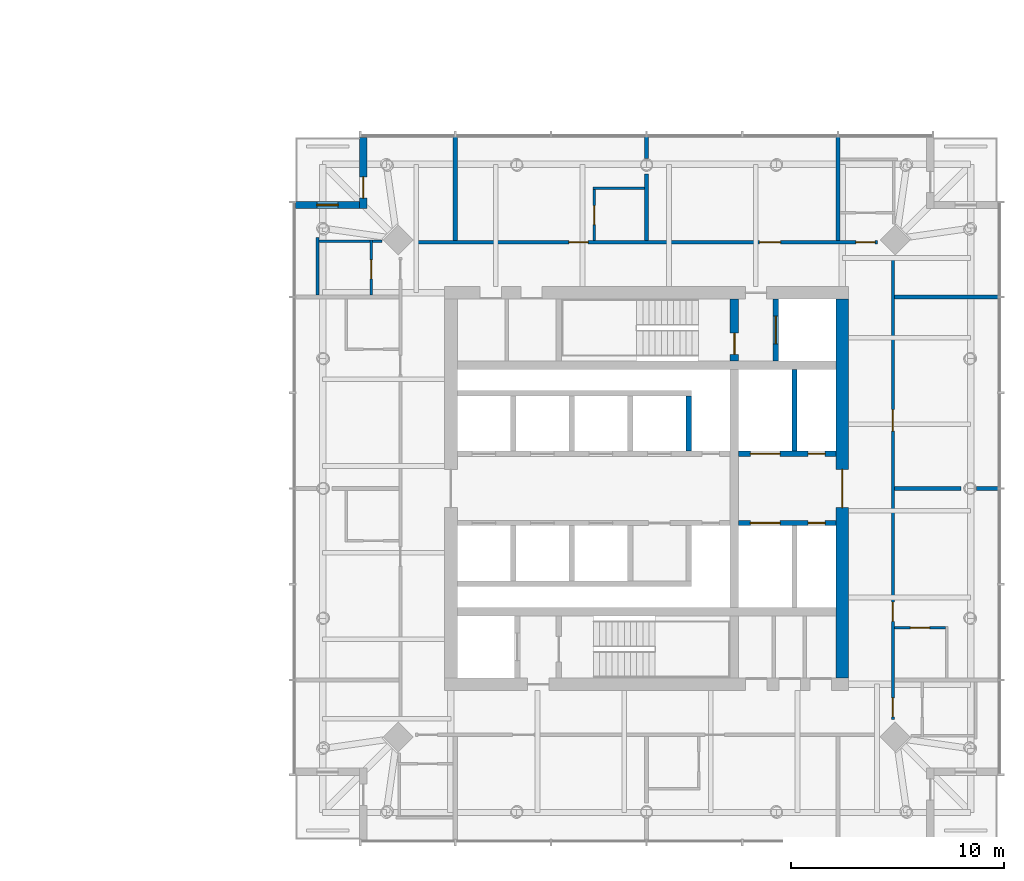
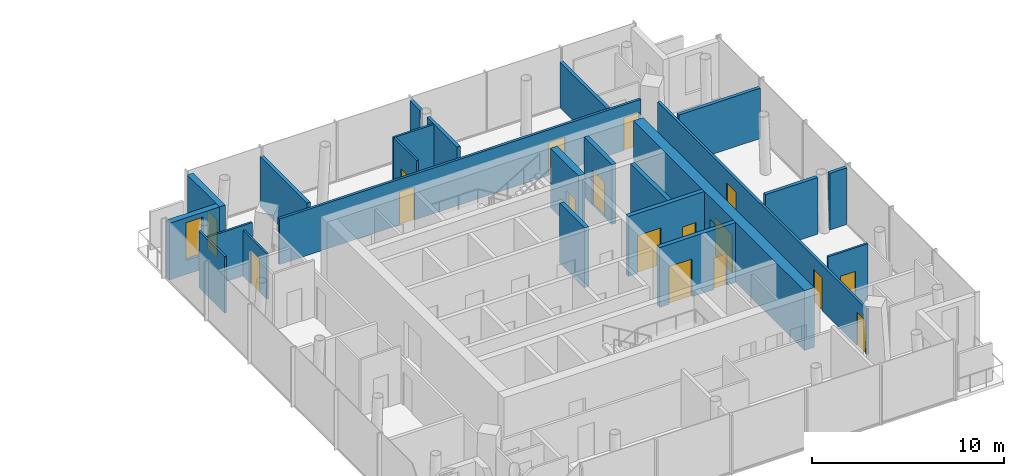
# One storey, part 15 of 20: 24 walls, 17 doors, 1 window, 18 openings.
"""IFC4 building model written with IfcOpenShell, lengths in metres."""

from ifc_helpers import new_model, si_unit, direction, frame, frame_2d, origin, place, context, subcontext, project, spatial, rectangle, extrude, material, layer, layer_set, type_object, element, fill, save


model = new_model("IFC4")

# Units and contexts
model_context = context("Model", 3, precision=1e-05, world=origin(), true_north=direction((0.0, 1.0)))
body_context = subcontext(model_context, "Body", "Model", "MODEL_VIEW")
ifc_project = project(units=[si_unit("LENGTHUNIT", "METRE"), si_unit("AREAUNIT", "SQUARE_METRE"), si_unit("VOLUMEUNIT", "CUBIC_METRE"), si_unit("PLANEANGLEUNIT", "RADIAN"), si_unit("MASSUNIT", "GRAM", prefix="KILO")], contexts=[model_context])

# Site, building, storey
site_placement = place(None, origin())
site = spatial("IfcSite", under=ifc_project, at=site_placement, CompositionType="ELEMENT")
building_placement = place(site_placement, origin())
building = spatial("IfcBuilding", under=site, at=building_placement, Name="Ostroluk Exchange", CompositionType="ELEMENT")
storey_placement = place(building_placement, frame((0.0, 0.0, 108.39990234375)))
storey = spatial("IfcBuildingStorey", under=building, at=storey_placement, Name="L27", CompositionType="ELEMENT", Elevation=108.39990234375)

# Wall, opening, door
ifc_material_1 = material(Name="Concrete C50/60", Category="concrete")
ifc_layer_1 = layer(ifc_material_1, 0.39990234375)
ifc_layer_set_1 = layer_set([ifc_layer_1], Name="Core cross wall 400 C50/60")
wall_type_1 = type_object("IfcWallType", Name="Core cross wall 400 C50/60", PredefinedType="SHEAR", material=ifc_layer_set_1)
wall_1_placement = place(storey_placement, frame((121.1298828125, 52.0, 0.0), z_axis=(0.0, 0.0, 1.0), x_axis=(0.0, 1.0, 0.0)))
wall_1 = element("IfcWall", 1, at=wall_1_placement, inside=storey, type_object=wall_type_1, Name="T2 core wall YE3", PredefinedType="SHEAR", context=body_context, shape_type="SweptSolid", body=[
    extrude(rectangle(XDim=2.89990234375, YDim=0.39990234375, at=frame_2d((1.449951171875, 0.0))), origin(), (0.0, 0.0, 1.0), 3.800048828125),
])
opening_1_placement = place(wall_1_placement, frame((0.300048828125, 0.0, 0.0)))
opening_1 = element("IfcOpeningElement", 2, at=opening_1_placement, cuts=wall_1, Name="Opening FD60", PredefinedType="OPENING", context=body_context, shape_type="SweptSolid", body=[
    extrude(rectangle(XDim=1.0, YDim=2.10009765625, at=frame_2d((0.5, 1.050048828125))), frame((0.0, 0.2099609375, 0.0), z_axis=(0.0, -1.0, 0.0), x_axis=(1.0, 0.0, 0.0)), (0.0, 0.0, 1.0), 0.419921875),
])
ifc_material_2 = material(Name="Steel", Category="steel")
door_type_1 = type_object("IfcDoorType", Name="Fire door EI 60 1000 x 2100", OperationType="SINGLE_SWING_LEFT", PredefinedType="DOOR", material=ifc_material_2)
door_1_placement = place(opening_1_placement, origin())
door_1 = element("IfcDoor", 3, at=door_1_placement, inside=storey, type_object=door_type_1, Name="Stair T2-S2 door", OperationType="SINGLE_SWING_LEFT", OverallHeight=2.10009765625, OverallWidth=1.0, PredefinedType="DOOR", context=body_context, shape_type="SweptSolid", body=[
    extrude(rectangle(XDim=1.0, YDim=2.10009765625, at=frame_2d((0.5, 1.050048828125))), frame((0.0, 0.02490234375, 0.0), z_axis=(0.0, -1.0, 0.0), x_axis=(1.0, 0.0, 0.0)), (0.0, 0.0, 1.0), 0.050048828125),
])
fill(opening_1, door_1)

ifc_material_3 = material(Name="Concrete C40/50", Category="concrete")
ifc_layer_2 = layer(ifc_material_3, 0.25)
ifc_layer_set_2 = layer_set([ifc_layer_2], Name="Core shaft wall 250")
wall_type_2 = type_object("IfcWallType", Name="Core shaft wall 250", PredefinedType="SHEAR", material=ifc_layer_set_2)
wall_2_placement = place(storey_placement, frame((123.074951171875, 52.0, 0.0), z_axis=(0.0, 0.0, 1.0), x_axis=(0.0, 1.0, 0.0)))
wall_2 = element("IfcWall", 4, at=wall_2_placement, inside=storey, type_object=wall_type_2, Name="Firefighting lift shaft wall", PredefinedType="SHEAR", context=body_context, shape_type="SweptSolid", body=[
    extrude(rectangle(XDim=2.89990234375, YDim=0.25, at=frame_2d((1.449951171875, 0.0))), origin(), (0.0, 0.0, 1.0), 3.800048828125),
])
opening_2_placement = place(wall_2_placement, frame((0.800048828125, 0.0, 0.0)))
opening_2 = element("IfcOpeningElement", 5, at=opening_2_placement, cuts=wall_2, Name="Opening LD2", PredefinedType="OPENING", context=body_context, shape_type="SweptSolid", body=[
    extrude(rectangle(XDim=1.300048828125, YDim=2.199951171875, at=frame_2d((0.64990234375, 1.10009765625))), frame((0.0, 0.135009765625, 0.0), z_axis=(0.0, -1.0, 0.0), x_axis=(1.0, 0.0, 0.0)), (0.0, 0.0, 1.0), 0.27001953125),
])
ifc_material_4 = material(Name="Stainless steel", Category="steel")
door_type_2 = type_object("IfcDoorType", Name="Lift landing door E 60 1300 x 2200", OperationType="DOUBLE_DOOR_SLIDING", PredefinedType="DOOR", material=ifc_material_4)
door_2_placement = place(opening_2_placement, origin())
door_2 = element("IfcDoor", 6, at=door_2_placement, inside=storey, type_object=door_type_2, Name="Lift HF2 landing door", OperationType="DOUBLE_DOOR_SLIDING", OverallHeight=2.199951171875, OverallWidth=1.300048828125, PredefinedType="DOOR", context=body_context, shape_type="SweptSolid", body=[
    extrude(rectangle(XDim=1.300048828125, YDim=2.199951171875, at=frame_2d((0.64990234375, 1.10009765625))), frame((0.0, 0.02490234375, 0.0), z_axis=(0.0, -1.0, 0.0), x_axis=(1.0, 0.0, 0.0)), (0.0, 0.0, 1.0), 0.050048828125),
])
fill(opening_2, door_2)

# Walls
wall_3_placement = place(storey_placement, frame((118.97509765625, 47.75, 0.0), z_axis=(0.0, 0.0, 1.0), x_axis=(0.0, 1.0, 0.0)))
element("IfcWall", 7, at=wall_3_placement, inside=storey, type_object=wall_type_2, Name="Lift shaft wall", PredefinedType="SHEAR", context=body_context, shape_type="SweptSolid", body=[
    extrude(rectangle(XDim=2.60009765625, YDim=0.25, at=frame_2d((1.300048828125, 0.0))), origin(), (0.0, 0.0, 1.0), 3.800048828125),
])
wall_4_placement = place(storey_placement, frame((123.955078125, 47.75, 0.0), z_axis=(0.0, 0.0, 1.0), x_axis=(0.0, 1.0, 0.0)))
element("IfcWall", 8, at=wall_4_placement, inside=storey, type_object=wall_type_2, Name="Lift shaft wall", PredefinedType="SHEAR", context=body_context, shape_type="SweptSolid", body=[
    extrude(rectangle(XDim=3.85009765625, YDim=0.25, at=frame_2d((1.925048828125, 0.0))), origin(), (0.0, 0.0, 1.0), 3.800048828125),
])

# Wall, openings, doors
wall_5_placement = place(storey_placement, frame((121.330078125, 47.625, 0.0), z_axis=(0.0, 0.0, 1.0), x_axis=(1.0, 0.0, 0.0)))
wall_5 = element("IfcWall", 9, at=wall_5_placement, inside=storey, type_object=wall_type_2, Name="Lift shaft front wall", PredefinedType="SHEAR", context=body_context, shape_type="SweptSolid", body=[
    extrude(rectangle(XDim=4.56982421875, YDim=0.25, at=frame_2d((2.284912109375, 0.0))), origin(), (0.0, 0.0, 1.0), 3.800048828125),
])
opening_3_placement = place(wall_5_placement, frame((0.550048828125, 0.0, 0.0)))
opening_3 = element("IfcOpeningElement", 10, at=opening_3_placement, cuts=wall_5, Name="Opening LD3", PredefinedType="OPENING", context=body_context, shape_type="SweptSolid", body=[
    extrude(rectangle(XDim=1.39990234375, YDim=2.39990234375, at=frame_2d((0.699951171875, 1.199951171875))), frame((0.0, 0.135009765625, 0.0), z_axis=(0.0, -1.0, 0.0), x_axis=(1.0, 0.0, 0.0)), (0.0, 0.0, 1.0), 0.27001953125),
])
opening_4_placement = place(wall_5_placement, frame((3.260009765625, 0.0, 0.0)))
opening_4 = element("IfcOpeningElement", 11, at=opening_4_placement, cuts=wall_5, Name="Opening RD60", PredefinedType="OPENING", context=body_context, shape_type="SweptSolid", body=[
    extrude(rectangle(XDim=0.800048828125, YDim=2.0, at=frame_2d((0.39990234375, 1.0))), frame((0.0, 0.135009765625, 0.0), z_axis=(0.0, -1.0, 0.0), x_axis=(1.0, 0.0, 0.0)), (0.0, 0.0, 1.0), 0.27001953125),
])
ifc_material_5 = material(Name="Stainless steel", Category="steel")
door_type_3 = type_object("IfcDoorType", Name="Goods lift landing door E 60 1400 x 2400", OperationType="DOUBLE_DOOR_SLIDING", PredefinedType="DOOR", material=ifc_material_5)
door_3_placement = place(opening_3_placement, origin())
door_3 = element("IfcDoor", 12, at=door_3_placement, inside=storey, type_object=door_type_3, Name="Lift HS1 landing door", OperationType="DOUBLE_DOOR_SLIDING", OverallHeight=2.39990234375, OverallWidth=1.39990234375, PredefinedType="DOOR", context=body_context, shape_type="SweptSolid", body=[
    extrude(rectangle(XDim=1.39990234375, YDim=2.39990234375, at=frame_2d((0.699951171875, 1.199951171875))), frame((0.0, 0.02490234375, 0.0), z_axis=(0.0, -1.0, 0.0), x_axis=(1.0, 0.0, 0.0)), (0.0, 0.0, 1.0), 0.050048828125),
])
fill(opening_3, door_3)
ifc_material_6 = material(Name="Steel", Category="steel")
door_type_4 = type_object("IfcDoorType", Name="Riser access door EI 60 800 x 2000", OperationType="SINGLE_SWING_LEFT", PredefinedType="DOOR", material=ifc_material_6)
door_4_placement = place(opening_4_placement, origin())
door_4 = element("IfcDoor", 13, at=door_4_placement, inside=storey, type_object=door_type_4, Name="Riser access door", OperationType="SINGLE_SWING_RIGHT", OverallHeight=2.0, OverallWidth=0.800048828125, PredefinedType="DOOR", context=body_context, shape_type="SweptSolid", body=[
    extrude(rectangle(XDim=0.800048828125, YDim=2.0, at=frame_2d((0.39990234375, 1.0))), frame((0.0, 0.02490234375, 0.0), z_axis=(0.0, -1.0, 0.0), x_axis=(1.0, 0.0, 0.0)), (0.0, 0.0, 1.0), 0.050048828125),
])
fill(opening_4, door_4)

wall_6_placement = place(storey_placement, frame((121.330078125, 44.375, 0.0), z_axis=(0.0, 0.0, 1.0), x_axis=(1.0, 0.0, 0.0)))
wall_6 = element("IfcWall", 14, at=wall_6_placement, inside=storey, type_object=wall_type_2, Name="Lift shaft front wall", PredefinedType="SHEAR", context=body_context, shape_type="SweptSolid", body=[
    extrude(rectangle(XDim=4.56982421875, YDim=0.25, at=frame_2d((2.284912109375, 0.0))), origin(), (0.0, 0.0, 1.0), 3.800048828125),
])
opening_5_placement = place(wall_6_placement, frame((0.550048828125, 0.0, 0.0)))
opening_5 = element("IfcOpeningElement", 15, at=opening_5_placement, cuts=wall_6, Name="Opening LD3", PredefinedType="OPENING", context=body_context, shape_type="SweptSolid", body=[
    extrude(rectangle(XDim=1.39990234375, YDim=2.39990234375, at=frame_2d((0.699951171875, 1.199951171875))), frame((0.0, 0.135009765625, 0.0), z_axis=(0.0, -1.0, 0.0), x_axis=(1.0, 0.0, 0.0)), (0.0, 0.0, 1.0), 0.27001953125),
])
opening_6_placement = place(wall_6_placement, frame((3.260009765625, 0.0, 0.0)))
opening_6 = element("IfcOpeningElement", 16, at=opening_6_placement, cuts=wall_6, Name="Opening RD60", PredefinedType="OPENING", context=body_context, shape_type="SweptSolid", body=[
    extrude(rectangle(XDim=0.800048828125, YDim=2.0, at=frame_2d((0.39990234375, 1.0))), frame((0.0, 0.135009765625, 0.0), z_axis=(0.0, -1.0, 0.0), x_axis=(1.0, 0.0, 0.0)), (0.0, 0.0, 1.0), 0.27001953125),
])
door_5_placement = place(opening_5_placement, origin())
door_5 = element("IfcDoor", 17, at=door_5_placement, inside=storey, type_object=door_type_3, Name="Lift HS2 landing door", OperationType="DOUBLE_DOOR_SLIDING", OverallHeight=2.39990234375, OverallWidth=1.39990234375, PredefinedType="DOOR", context=body_context, shape_type="SweptSolid", body=[
    extrude(rectangle(XDim=1.39990234375, YDim=2.39990234375, at=frame_2d((0.699951171875, 1.199951171875))), frame((0.0, 0.02490234375, 0.0), z_axis=(0.0, -1.0, 0.0), x_axis=(1.0, 0.0, 0.0)), (0.0, 0.0, 1.0), 0.050048828125),
])
fill(opening_5, door_5)
door_6_placement = place(opening_6_placement, origin())
door_6 = element("IfcDoor", 18, at=door_6_placement, inside=storey, type_object=door_type_4, Name="Riser access door", OperationType="SINGLE_SWING_RIGHT", OverallHeight=2.0, OverallWidth=0.800048828125, PredefinedType="DOOR", context=body_context, shape_type="SweptSolid", body=[
    extrude(rectangle(XDim=0.800048828125, YDim=2.0, at=frame_2d((0.39990234375, 1.0))), frame((0.0, 0.02490234375, 0.0), z_axis=(0.0, -1.0, 0.0), x_axis=(1.0, 0.0, 0.0)), (0.0, 0.0, 1.0), 0.050048828125),
])
fill(opening_6, door_6)

# Wall, opening, door
ifc_material_7 = material(Name="Concrete C50/60", Category="concrete")
ifc_layer_3 = layer(ifc_material_7, 0.60009765625)
ifc_layer_set_3 = layer_set([ifc_layer_3], Name="Core wall 600 C50/60")
wall_type_3 = type_object("IfcWallType", Name="Core wall 600 C50/60", PredefinedType="SHEAR", material=ifc_layer_set_3)
wall_7_placement = place(storey_placement, frame((126.199951171875, 37.10009765625, 0.0), z_axis=(0.0, 0.0, 1.0), x_axis=(0.0, 1.0, 0.0)))
wall_7 = element("IfcWall", 19, at=wall_7_placement, inside=storey, type_object=wall_type_3, Name="T2 core wall E", PredefinedType="SHEAR", context=body_context, shape_type="SweptSolid", body=[
    extrude(rectangle(XDim=17.7998046875, YDim=0.60009765625, at=frame_2d((8.89990234375, 0.0))), origin(), (0.0, 0.0, 1.0), 3.800048828125),
])
opening_7_placement = place(wall_7_placement, frame((8.0, 0.0, 0.0)))
opening_7 = element("IfcOpeningElement", 20, at=opening_7_placement, cuts=wall_7, Name="Opening FD30D", PredefinedType="OPENING", context=body_context, shape_type="SweptSolid", body=[
    extrude(rectangle(XDim=1.800048828125, YDim=2.39990234375, at=frame_2d((0.89990234375, 1.199951171875))), frame((0.0, 0.31005859375, 0.0), z_axis=(0.0, -1.0, 0.0), x_axis=(1.0, 0.0, 0.0)), (0.0, 0.0, 1.0), 0.6201171875),
])
ifc_material_8 = material(Name="Timber", Category="wood")
door_type_5 = type_object("IfcDoorType", Name="Lobby double door EI 30 1800 x 2400", OperationType="DOUBLE_DOOR_SINGLE_SWING", PredefinedType="DOOR", material=ifc_material_8)
door_7_placement = place(opening_7_placement, origin())
door_7 = element("IfcDoor", 21, at=door_7_placement, inside=storey, type_object=door_type_5, Name="Lift lobby doors", OperationType="DOUBLE_DOOR_SINGLE_SWING", OverallHeight=2.39990234375, OverallWidth=1.800048828125, PredefinedType="DOOR", context=body_context, shape_type="SweptSolid", body=[
    extrude(rectangle(XDim=1.800048828125, YDim=2.39990234375, at=frame_2d((0.89990234375, 1.199951171875))), frame((0.0, 0.02490234375, 0.0), z_axis=(0.0, -1.0, 0.0), x_axis=(1.0, 0.0, 0.0)), (0.0, 0.0, 1.0), 0.050048828125),
])
fill(opening_7, door_7)

ifc_material_9 = material(Name="Limestone", Category="masonry")
ifc_layer_4 = layer(ifc_material_9, 0.35009765625)
ifc_layer_set_4 = layer_set([ifc_layer_4], Name="Limestone facade wall 350")
wall_type_4 = type_object("IfcWallType", Name="Limestone facade wall 350", PredefinedType="SOLIDWALL", material=ifc_layer_set_4)
wall_8_placement = place(storey_placement, frame((103.675048828125, 62.5, 0.0), z_axis=(0.0, 0.0, 1.0), x_axis=(0.0, -1.0, 0.0)))
wall_8 = element("IfcWall", 22, at=wall_8_placement, inside=storey, type_object=wall_type_4, Name="Hotel tower NW corner wall L27 a", PredefinedType="SOLIDWALL", context=body_context, shape_type="SweptSolid", body=[
    extrude(rectangle(XDim=3.35009765625, YDim=0.35009765625, at=frame_2d((1.675048828125, 0.0))), origin(), (0.0, 0.0, 1.0), 3.60009765625),
])
opening_8_placement = place(wall_8_placement, frame((1.85009765625, 0.0, 0.0)))
opening_8 = element("IfcOpeningElement", 23, at=opening_8_placement, cuts=wall_8, Name="Opening D-B1", PredefinedType="OPENING", context=body_context, shape_type="SweptSolid", body=[
    extrude(rectangle(XDim=1.0, YDim=2.39990234375, at=frame_2d((0.5, 1.199951171875))), frame((0.0, 0.18505859375, 0.0), z_axis=(0.0, -1.0, 0.0), x_axis=(1.0, 0.0, 0.0)), (0.0, 0.0, 1.0), 0.3701171875),
])
ifc_material_10 = material(Name="Bronze framed glazed door", Category="aluminium")
door_type_6 = type_object("IfcDoorType", Name="Balcony door 1000 x 2400", OperationType="SINGLE_SWING_LEFT", PredefinedType="DOOR", material=ifc_material_10)
door_8_placement = place(opening_8_placement, origin())
door_8 = element("IfcDoor", 24, at=door_8_placement, inside=storey, type_object=door_type_6, Name="Hotel tower NW balcony door L27", OperationType="SINGLE_SWING_RIGHT", OverallHeight=2.39990234375, OverallWidth=1.0, PredefinedType="DOOR", context=body_context, shape_type="SweptSolid", body=[
    extrude(rectangle(XDim=1.0, YDim=2.39990234375, at=frame_2d((0.5, 1.199951171875))), frame((0.0, 0.02490234375, 0.0), z_axis=(0.0, -1.0, 0.0), x_axis=(1.0, 0.0, 0.0)), (0.0, 0.0, 1.0), 0.050048828125),
])
fill(opening_8, door_8)

# Wall, opening, window
wall_9_placement = place(storey_placement, frame((103.5, 59.324951171875, 0.0), z_axis=(0.0, 0.0, 1.0), x_axis=(-1.0, 0.0, 0.0)))
wall_9 = element("IfcWall", 25, at=wall_9_placement, inside=storey, type_object=wall_type_4, Name="Hotel tower NW corner wall L27 b", PredefinedType="SOLIDWALL", context=body_context, shape_type="SweptSolid", body=[
    extrude(rectangle(XDim=3.0, YDim=0.35009765625, at=frame_2d((1.5, 0.0))), origin(), (0.0, 0.0, 1.0), 3.60009765625),
])
opening_9_placement = place(wall_9_placement, frame((1.0, 0.0, 0.89990234375)))
opening_9 = element("IfcOpeningElement", 26, at=opening_9_placement, cuts=wall_9, Name="Opening WN-L3", PredefinedType="OPENING", context=body_context, shape_type="SweptSolid", body=[
    extrude(rectangle(XDim=1.0, YDim=2.39990234375, at=frame_2d((0.5, 1.199951171875))), frame((0.0, 0.18505859375, 0.0), z_axis=(0.0, -1.0, 0.0), x_axis=(1.0, 0.0, 0.0)), (0.0, 0.0, 1.0), 0.3701171875),
])
ifc_material_11 = material(Name="Laminated clear glass", Category="glass")
window_type = type_object("IfcWindowType", Name="Hotel lancet window 1000 x 2400", PartitioningType="SINGLE_PANEL", PredefinedType="WINDOW", material=ifc_material_11)
window_placement = place(opening_9_placement, origin())
window = element("IfcWindow", 27, at=window_placement, inside=storey, type_object=window_type, Name="Hotel tower NW lancet window L27", OverallHeight=2.39990234375, OverallWidth=1.0, PartitioningType="SINGLE_PANEL", PredefinedType="WINDOW", context=body_context, shape_type="SweptSolid", body=[
    extrude(rectangle(XDim=1.0, YDim=2.39990234375, at=frame_2d((0.5, 1.199951171875))), frame((0.0, 0.030029296875, 0.0), z_axis=(0.0, -1.0, 0.0), x_axis=(1.0, 0.0, 0.0)), (0.0, 0.0, 1.0), 0.06005859375),
])
fill(opening_9, window)

# Wall, opening, door
ifc_material_12 = material(Name="Gypsum plasterboard partition, moisture resistant", Category="gypsum")
ifc_layer_5 = layer(ifc_material_12, 0.1201171875)
ifc_layer_set_5 = layer_set([ifc_layer_5], Name="Plasterboard en-suite wall 120")
wall_type_5 = type_object("IfcWallType", Name="Plasterboard en-suite wall 120", PredefinedType="PARTITIONING", material=ifc_layer_set_5)
wall_10_placement = place(storey_placement, frame((128.64990234375, 39.4599609375, 0.0), z_axis=(0.0, 0.0, 1.0), x_axis=(1.0, 0.0, 0.0)))
wall_10 = element("IfcWall", 28, at=wall_10_placement, inside=storey, type_object=wall_type_5, Name="En-suite wall", PredefinedType="PARTITIONING", context=body_context, shape_type="SweptSolid", body=[
    extrude(rectangle(XDim=2.400146484375, YDim=0.1201171875, at=frame_2d((1.2001953125, 0.0))), origin(), (0.0, 0.0, 1.0), 3.60009765625),
])
opening_10_placement = place(wall_10_placement, frame((0.75, 0.0, 0.0)))
opening_10 = element("IfcOpeningElement", 29, at=opening_10_placement, cuts=wall_10, Name="Opening D-02", PredefinedType="OPENING", context=body_context, shape_type="SweptSolid", body=[
    extrude(rectangle(XDim=0.89990234375, YDim=2.10009765625, at=frame_2d((0.449951171875, 1.050048828125))), frame((0.0, 0.070068359375, 0.0), z_axis=(0.0, -1.0, 0.0), x_axis=(1.0, 0.0, 0.0)), (0.0, 0.0, 1.0), 0.14013671875),
])
ifc_material_13 = material(Name="Timber", Category="wood")
door_type_7 = type_object("IfcDoorType", Name="En-suite door 900 x 2100", OperationType="SINGLE_SWING_LEFT", PredefinedType="DOOR", material=ifc_material_13)
door_9_placement = place(opening_10_placement, origin())
door_9 = element("IfcDoor", 30, at=door_9_placement, inside=storey, type_object=door_type_7, Name="En-suite door 2702", OperationType="SINGLE_SWING_LEFT", OverallHeight=2.10009765625, OverallWidth=0.89990234375, PredefinedType="DOOR", context=body_context, shape_type="SweptSolid", body=[
    extrude(rectangle(XDim=0.89990234375, YDim=2.10009765625, at=frame_2d((0.449951171875, 1.050048828125))), frame((0.0, 0.02490234375, 0.0), z_axis=(0.0, -1.0, 0.0), x_axis=(1.0, 0.0, 0.0)), (0.0, 0.0, 1.0), 0.050048828125),
])
fill(opening_10, door_9)

# Wall
wall_11_placement = place(storey_placement, frame((116.89990234375, 60.110107421875, 0.0), z_axis=(0.0, 0.0, 1.0), x_axis=(-1.0, 0.0, 0.0)))
element("IfcWall", 31, at=wall_11_placement, inside=storey, type_object=wall_type_5, Name="En-suite wall", PredefinedType="PARTITIONING", context=body_context, shape_type="SweptSolid", body=[
    extrude(rectangle(XDim=2.419921875, YDim=0.1201171875, at=frame_2d((1.2099609375, 0.0))), origin(), (0.0, 0.0, 1.0), 3.60009765625),
])

# Wall, opening, door
wall_12_placement = place(storey_placement, frame((114.5400390625, 57.64990234375, 0.0), z_axis=(0.0, 0.0, 1.0), x_axis=(0.0, 1.0, 0.0)))
wall_12 = element("IfcWall", 32, at=wall_12_placement, inside=storey, type_object=wall_type_5, Name="En-suite wall", PredefinedType="PARTITIONING", context=body_context, shape_type="SweptSolid", body=[
    extrude(rectangle(XDim=2.400146484375, YDim=0.1201171875, at=frame_2d((1.2001953125, 0.0))), origin(), (0.0, 0.0, 1.0), 3.60009765625),
])
opening_11_placement = place(wall_12_placement, frame((0.75, 0.0, 0.0)))
opening_11 = element("IfcOpeningElement", 33, at=opening_11_placement, cuts=wall_12, Name="Opening D-02", PredefinedType="OPENING", context=body_context, shape_type="SweptSolid", body=[
    extrude(rectangle(XDim=0.89990234375, YDim=2.10009765625, at=frame_2d((0.449951171875, 1.050048828125))), frame((0.0, 0.070068359375, 0.0), z_axis=(0.0, -1.0, 0.0), x_axis=(1.0, 0.0, 0.0)), (0.0, 0.0, 1.0), 0.14013671875),
])
door_10_placement = place(opening_11_placement, origin())
door_10 = element("IfcDoor", 34, at=door_10_placement, inside=storey, type_object=door_type_7, Name="En-suite door 2704", OperationType="SINGLE_SWING_RIGHT", OverallHeight=2.10009765625, OverallWidth=0.89990234375, PredefinedType="DOOR", context=body_context, shape_type="SweptSolid", body=[
    extrude(rectangle(XDim=0.89990234375, YDim=2.10009765625, at=frame_2d((0.449951171875, 1.050048828125))), frame((0.0, 0.02490234375, 0.0), z_axis=(0.0, -1.0, 0.0), x_axis=(1.0, 0.0, 0.0)), (0.0, 0.0, 1.0), 0.050048828125),
])
fill(opening_11, door_10)

wall_13_placement = place(storey_placement, frame((104.050048828125, 55.10009765625, 0.0), z_axis=(0.0, 0.0, 1.0), x_axis=(0.0, 1.0, 0.0)))
wall_13 = element("IfcWall", 35, at=wall_13_placement, inside=storey, type_object=wall_type_5, Name="En-suite wall", PredefinedType="PARTITIONING", context=body_context, shape_type="SweptSolid", body=[
    extrude(rectangle(XDim=2.579833984375, YDim=0.1201171875, at=frame_2d((1.2900390625, 0.0))), origin(), (0.0, 0.0, 1.0), 2.900146484375),
])
opening_12_placement = place(wall_13_placement, frame((0.75, 0.0, 0.0)))
opening_12 = element("IfcOpeningElement", 36, at=opening_12_placement, cuts=wall_13, Name="Opening D-02", PredefinedType="OPENING", context=body_context, shape_type="SweptSolid", body=[
    extrude(rectangle(XDim=0.89990234375, YDim=2.10009765625, at=frame_2d((0.449951171875, 1.050048828125))), frame((0.0, 0.070068359375, 0.0), z_axis=(0.0, -1.0, 0.0), x_axis=(1.0, 0.0, 0.0)), (0.0, 0.0, 1.0), 0.14013671875),
])
door_11_placement = place(opening_12_placement, origin())
door_11 = element("IfcDoor", 37, at=door_11_placement, inside=storey, type_object=door_type_7, Name="En-suite door 2705", OperationType="SINGLE_SWING_LEFT", OverallHeight=2.10009765625, OverallWidth=0.89990234375, PredefinedType="DOOR", context=body_context, shape_type="SweptSolid", body=[
    extrude(rectangle(XDim=0.89990234375, YDim=2.10009765625, at=frame_2d((0.449951171875, 1.050048828125))), frame((0.0, 0.02490234375, 0.0), z_axis=(0.0, -1.0, 0.0), x_axis=(1.0, 0.0, 0.0)), (0.0, 0.0, 1.0), 0.050048828125),
])
fill(opening_12, door_11)

# Walls
wall_14_placement = place(storey_placement, frame((101.530029296875, 55.10009765625, 0.0), z_axis=(0.0, 0.0, 1.0), x_axis=(0.0, 1.0, 0.0)))
element("IfcWall", 38, at=wall_14_placement, inside=storey, type_object=wall_type_5, Name="En-suite wall", PredefinedType="PARTITIONING", context=body_context, shape_type="SweptSolid", body=[
    extrude(rectangle(XDim=2.689453125, YDim=0.1201171875, at=frame_2d((1.3447265625, 0.0))), origin(), (0.0, 0.0, 1.0), 3.60009765625),
])
wall_15_placement = place(storey_placement, frame((104.56005859375, 57.6201171875, 0.0), z_axis=(0.0, 0.0, 1.0), x_axis=(-1.0, 0.0, 0.0)))
element("IfcWall", 39, at=wall_15_placement, inside=storey, type_object=wall_type_5, Name="En-suite wall", PredefinedType="PARTITIONING", context=body_context, shape_type="SweptSolid", body=[
    extrude(rectangle(XDim=2.969970703125, YDim=0.1201171875, at=frame_2d((1.48486328125, 0.0))), origin(), (0.0, 0.0, 1.0), 3.2001953125),
])

# Wall, openings, doors
ifc_material_14 = material(Name="Gypsum plasterboard partition", Category="gypsum")
ifc_layer_6 = layer(ifc_material_14, 0.14990234375)
ifc_layer_set_6 = layer_set([ifc_layer_6], Name="Plasterboard partition 150")
wall_type_6 = type_object("IfcWallType", Name="Plasterboard partition 150", PredefinedType="PARTITIONING", material=ifc_layer_set_6)
wall_16_placement = place(storey_placement, frame((128.574951171875, 35.13818359375, 0.0), z_axis=(0.0, 0.0, 1.0), x_axis=(0.0, 1.0, 0.0)))
wall_16 = element("IfcWall", 40, at=wall_16_placement, inside=storey, type_object=wall_type_6, Name="Corridor wall", PredefinedType="PARTITIONING", context=body_context, shape_type="SweptSolid", body=[
    extrude(rectangle(XDim=21.7236328125, YDim=0.14990234375, at=frame_2d((10.86181640625, 0.0))), origin(), (0.0, 0.0, 1.0), 2.900146484375),
])
opening_13_placement = place(wall_16_placement, frame((0.1201171875, 0.0, 0.0)))
opening_13 = element("IfcOpeningElement", 41, at=opening_13_placement, cuts=wall_16, Name="Opening D-01", PredefinedType="OPENING", context=body_context, shape_type="SweptSolid", body=[
    extrude(rectangle(XDim=0.89990234375, YDim=2.10009765625, at=frame_2d((0.449951171875, 1.050048828125))), frame((0.0, 0.0849609375, 0.0), z_axis=(0.0, -1.0, 0.0), x_axis=(1.0, 0.0, 0.0)), (0.0, 0.0, 1.0), 0.169921875),
])
opening_14_placement = place(wall_16_placement, frame((4.61181640625, 0.0, 0.0)))
opening_14 = element("IfcOpeningElement", 42, at=opening_14_placement, cuts=wall_16, Name="Opening D-01", PredefinedType="OPENING", context=body_context, shape_type="SweptSolid", body=[
    extrude(rectangle(XDim=0.89990234375, YDim=2.10009765625, at=frame_2d((0.449951171875, 1.050048828125))), frame((0.0, 0.0849609375, 0.0), z_axis=(0.0, -1.0, 0.0), x_axis=(1.0, 0.0, 0.0)), (0.0, 0.0, 1.0), 0.169921875),
])
opening_15_placement = place(wall_16_placement, frame((13.561767578125, 0.0, 0.0)))
opening_15 = element("IfcOpeningElement", 43, at=opening_15_placement, cuts=wall_16, Name="Opening D-03", PredefinedType="OPENING", context=body_context, shape_type="SweptSolid", body=[
    extrude(rectangle(XDim=1.0, YDim=2.10009765625, at=frame_2d((0.5, 1.050048828125))), frame((0.0, 0.0849609375, 0.0), z_axis=(0.0, -1.0, 0.0), x_axis=(1.0, 0.0, 0.0)), (0.0, 0.0, 1.0), 0.169921875),
])
ifc_material_15 = material(Name="Timber", Category="wood")
door_type_8 = type_object("IfcDoorType", Name="Hotel room door EI 30 Sa 900 x 2100", OperationType="SINGLE_SWING_LEFT", PredefinedType="DOOR", material=ifc_material_15)
door_12_placement = place(opening_13_placement, origin())
door_12 = element("IfcDoor", 44, at=door_12_placement, inside=storey, type_object=door_type_8, Name="Room door 2701", OperationType="SINGLE_SWING_LEFT", OverallHeight=2.10009765625, OverallWidth=0.89990234375, PredefinedType="DOOR", context=body_context, shape_type="SweptSolid", body=[
    extrude(rectangle(XDim=0.89990234375, YDim=2.10009765625, at=frame_2d((0.449951171875, 1.050048828125))), frame((0.0, 0.02490234375, 0.0), z_axis=(0.0, -1.0, 0.0), x_axis=(1.0, 0.0, 0.0)), (0.0, 0.0, 1.0), 0.050048828125),
])
fill(opening_13, door_12)
door_13_placement = place(opening_14_placement, origin())
door_13 = element("IfcDoor", 45, at=door_13_placement, inside=storey, type_object=door_type_8, Name="Room door 2702", OperationType="SINGLE_SWING_LEFT", OverallHeight=2.10009765625, OverallWidth=0.89990234375, PredefinedType="DOOR", context=body_context, shape_type="SweptSolid", body=[
    extrude(rectangle(XDim=0.89990234375, YDim=2.10009765625, at=frame_2d((0.449951171875, 1.050048828125))), frame((0.0, 0.02490234375, 0.0), z_axis=(0.0, -1.0, 0.0), x_axis=(1.0, 0.0, 0.0)), (0.0, 0.0, 1.0), 0.050048828125),
])
fill(opening_14, door_13)
ifc_material_16 = material(Name="Timber", Category="wood")
door_type_9 = type_object("IfcDoorType", Name="Internal door 1000 x 2100", OperationType="SINGLE_SWING_LEFT", PredefinedType="DOOR", material=ifc_material_16)
door_14_placement = place(opening_15_placement, origin())
door_14 = element("IfcDoor", 46, at=door_14_placement, inside=storey, type_object=door_type_9, Name="Guest lounge door", OperationType="SINGLE_SWING_RIGHT", OverallHeight=2.10009765625, OverallWidth=1.0, PredefinedType="DOOR", context=body_context, shape_type="SweptSolid", body=[
    extrude(rectangle(XDim=1.0, YDim=2.10009765625, at=frame_2d((0.5, 1.050048828125))), frame((0.0, 0.02490234375, 0.0), z_axis=(0.0, -1.0, 0.0), x_axis=(1.0, 0.0, 0.0)), (0.0, 0.0, 1.0), 0.050048828125),
])
fill(opening_15, door_14)

wall_17_placement = place(storey_placement, frame((127.86181640625, 57.574951171875, 0.0), z_axis=(0.0, 0.0, 1.0), x_axis=(-1.0, 0.0, 0.0)))
wall_17 = element("IfcWall", 47, at=wall_17_placement, inside=storey, type_object=wall_type_6, Name="Corridor wall", PredefinedType="PARTITIONING", context=body_context, shape_type="SweptSolid", body=[
    extrude(rectangle(XDim=21.7236328125, YDim=0.14990234375, at=frame_2d((10.86181640625, 0.0))), origin(), (0.0, 0.0, 1.0), 2.900146484375),
])
opening_16_placement = place(wall_17_placement, frame((0.1201171875, 0.0, 0.0)))
opening_16 = element("IfcOpeningElement", 48, at=opening_16_placement, cuts=wall_17, Name="Opening D-01", PredefinedType="OPENING", context=body_context, shape_type="SweptSolid", body=[
    extrude(rectangle(XDim=0.89990234375, YDim=2.10009765625, at=frame_2d((0.449951171875, 1.050048828125))), frame((0.0, 0.0849609375, 0.0), z_axis=(0.0, -1.0, 0.0), x_axis=(1.0, 0.0, 0.0)), (0.0, 0.0, 1.0), 0.169921875),
])
opening_17_placement = place(wall_17_placement, frame((4.561767578125, 0.0, 0.0)))
opening_17 = element("IfcOpeningElement", 49, at=opening_17_placement, cuts=wall_17, Name="Opening D-03", PredefinedType="OPENING", context=body_context, shape_type="SweptSolid", body=[
    extrude(rectangle(XDim=1.0, YDim=2.10009765625, at=frame_2d((0.5, 1.050048828125))), frame((0.0, 0.0849609375, 0.0), z_axis=(0.0, -1.0, 0.0), x_axis=(1.0, 0.0, 0.0)), (0.0, 0.0, 1.0), 0.169921875),
])
opening_18_placement = place(wall_17_placement, frame((13.61181640625, 0.0, 0.0)))
opening_18 = element("IfcOpeningElement", 50, at=opening_18_placement, cuts=wall_17, Name="Opening D-01", PredefinedType="OPENING", context=body_context, shape_type="SweptSolid", body=[
    extrude(rectangle(XDim=0.89990234375, YDim=2.10009765625, at=frame_2d((0.449951171875, 1.050048828125))), frame((0.0, 0.0849609375, 0.0), z_axis=(0.0, -1.0, 0.0), x_axis=(1.0, 0.0, 0.0)), (0.0, 0.0, 1.0), 0.169921875),
])
door_15_placement = place(opening_16_placement, origin())
door_15 = element("IfcDoor", 51, at=door_15_placement, inside=storey, type_object=door_type_8, Name="Room door 2703", OperationType="SINGLE_SWING_LEFT", OverallHeight=2.10009765625, OverallWidth=0.89990234375, PredefinedType="DOOR", context=body_context, shape_type="SweptSolid", body=[
    extrude(rectangle(XDim=0.89990234375, YDim=2.10009765625, at=frame_2d((0.449951171875, 1.050048828125))), frame((0.0, 0.02490234375, 0.0), z_axis=(0.0, -1.0, 0.0), x_axis=(1.0, 0.0, 0.0)), (0.0, 0.0, 1.0), 0.050048828125),
])
fill(opening_16, door_15)
door_16_placement = place(opening_18_placement, origin())
door_16 = element("IfcDoor", 52, at=door_16_placement, inside=storey, type_object=door_type_8, Name="Room door 2704", OperationType="SINGLE_SWING_RIGHT", OverallHeight=2.10009765625, OverallWidth=0.89990234375, PredefinedType="DOOR", context=body_context, shape_type="SweptSolid", body=[
    extrude(rectangle(XDim=0.89990234375, YDim=2.10009765625, at=frame_2d((0.449951171875, 1.050048828125))), frame((0.0, 0.02490234375, 0.0), z_axis=(0.0, -1.0, 0.0), x_axis=(1.0, 0.0, 0.0)), (0.0, 0.0, 1.0), 0.050048828125),
])
fill(opening_18, door_16)
door_17_placement = place(opening_17_placement, origin())
door_17 = element("IfcDoor", 53, at=door_17_placement, inside=storey, type_object=door_type_9, Name="Guest lounge door", OperationType="SINGLE_SWING_LEFT", OverallHeight=2.10009765625, OverallWidth=1.0, PredefinedType="DOOR", context=body_context, shape_type="SweptSolid", body=[
    extrude(rectangle(XDim=1.0, YDim=2.10009765625, at=frame_2d((0.5, 1.050048828125))), frame((0.0, 0.02490234375, 0.0), z_axis=(0.0, -1.0, 0.0), x_axis=(1.0, 0.0, 0.0)), (0.0, 0.0, 1.0), 0.050048828125),
])
fill(opening_17, door_17)

# Walls
ifc_material_17 = material(Name="Gypsum plasterboard partition", Category="gypsum")
ifc_layer_7 = layer(ifc_material_17, 0.199951171875)
ifc_layer_set_7 = layer_set([ifc_layer_7], Name="Plasterboard party wall 200")
wall_type_7 = type_object("IfcWallType", Name="Plasterboard party wall 200", PredefinedType="PARTITIONING", material=ifc_layer_set_7)
wall_18_placement = place(storey_placement, frame((128.64990234375, 46.0, 0.0), z_axis=(0.0, 0.0, 1.0), x_axis=(1.0, 0.0, 0.0)))
element("IfcWall", 54, at=wall_18_placement, inside=storey, type_object=wall_type_7, Name="Party wall", PredefinedType="PARTITIONING", context=body_context, shape_type="SweptSolid", body=[
    extrude(rectangle(XDim=3.1396484375, YDim=0.199951171875, at=frame_2d((1.56982421875, 0.0))), origin(), (0.0, 0.0, 1.0), 3.60009765625),
])
wall_19_placement = place(storey_placement, frame((132.51220703125, 46.0, 0.0), z_axis=(0.0, 0.0, 1.0), x_axis=(1.0, 0.0, 0.0)))
element("IfcWall", 55, at=wall_19_placement, inside=storey, type_object=wall_type_7, Name="Party wall", PredefinedType="PARTITIONING", context=body_context, shape_type="SweptSolid", body=[
    extrude(rectangle(XDim=1.02783203125, YDim=0.199951171875, at=frame_2d((0.513916015625, 0.0))), origin(), (0.0, 0.0, 1.0), 3.60009765625),
])
wall_20_placement = place(storey_placement, frame((128.64990234375, 55.0, 0.0), z_axis=(0.0, 0.0, 1.0), x_axis=(1.0, 0.0, 0.0)))
element("IfcWall", 56, at=wall_20_placement, inside=storey, type_object=wall_type_7, Name="Party wall", PredefinedType="PARTITIONING", context=body_context, shape_type="SweptSolid", body=[
    extrude(rectangle(XDim=4.89013671875, YDim=0.199951171875, at=frame_2d((2.445068359375, 0.0))), origin(), (0.0, 0.0, 1.0), 3.2001953125),
])
wall_21_placement = place(storey_placement, frame((126.0, 57.64990234375, 0.0), z_axis=(0.0, 0.0, 1.0), x_axis=(0.0, 1.0, 0.0)))
element("IfcWall", 57, at=wall_21_placement, inside=storey, type_object=wall_type_7, Name="Party wall", PredefinedType="PARTITIONING", context=body_context, shape_type="SweptSolid", body=[
    extrude(rectangle(XDim=4.89013671875, YDim=0.199951171875, at=frame_2d((2.445068359375, 0.0))), origin(), (0.0, 0.0, 1.0), 2.900146484375),
])
wall_22_placement = place(storey_placement, frame((117.0, 57.64990234375, 0.0), z_axis=(0.0, 0.0, 1.0), x_axis=(0.0, 1.0, 0.0)))
element("IfcWall", 58, at=wall_22_placement, inside=storey, type_object=wall_type_7, Name="Party wall", PredefinedType="PARTITIONING", context=body_context, shape_type="SweptSolid", body=[
    extrude(rectangle(XDim=3.1396484375, YDim=0.199951171875, at=frame_2d((1.56982421875, 0.0))), origin(), (0.0, 0.0, 1.0), 3.60009765625),
])
wall_23_placement = place(storey_placement, frame((117.0, 61.51220703125, 0.0), z_axis=(0.0, 0.0, 1.0), x_axis=(0.0, 1.0, 0.0)))
element("IfcWall", 59, at=wall_23_placement, inside=storey, type_object=wall_type_7, Name="Party wall", PredefinedType="PARTITIONING", context=body_context, shape_type="SweptSolid", body=[
    extrude(rectangle(XDim=1.02783203125, YDim=0.199951171875, at=frame_2d((0.513916015625, 0.0))), origin(), (0.0, 0.0, 1.0), 3.60009765625),
])
wall_24_placement = place(storey_placement, frame((108.0, 57.64990234375, 0.0), z_axis=(0.0, 0.0, 1.0), x_axis=(0.0, 1.0, 0.0)))
element("IfcWall", 60, at=wall_24_placement, inside=storey, type_object=wall_type_7, Name="Party wall", PredefinedType="PARTITIONING", context=body_context, shape_type="SweptSolid", body=[
    extrude(rectangle(XDim=4.89013671875, YDim=0.199951171875, at=frame_2d((2.445068359375, 0.0))), origin(), (0.0, 0.0, 1.0), 3.2001953125),
])

save(model, "model.ifc")
